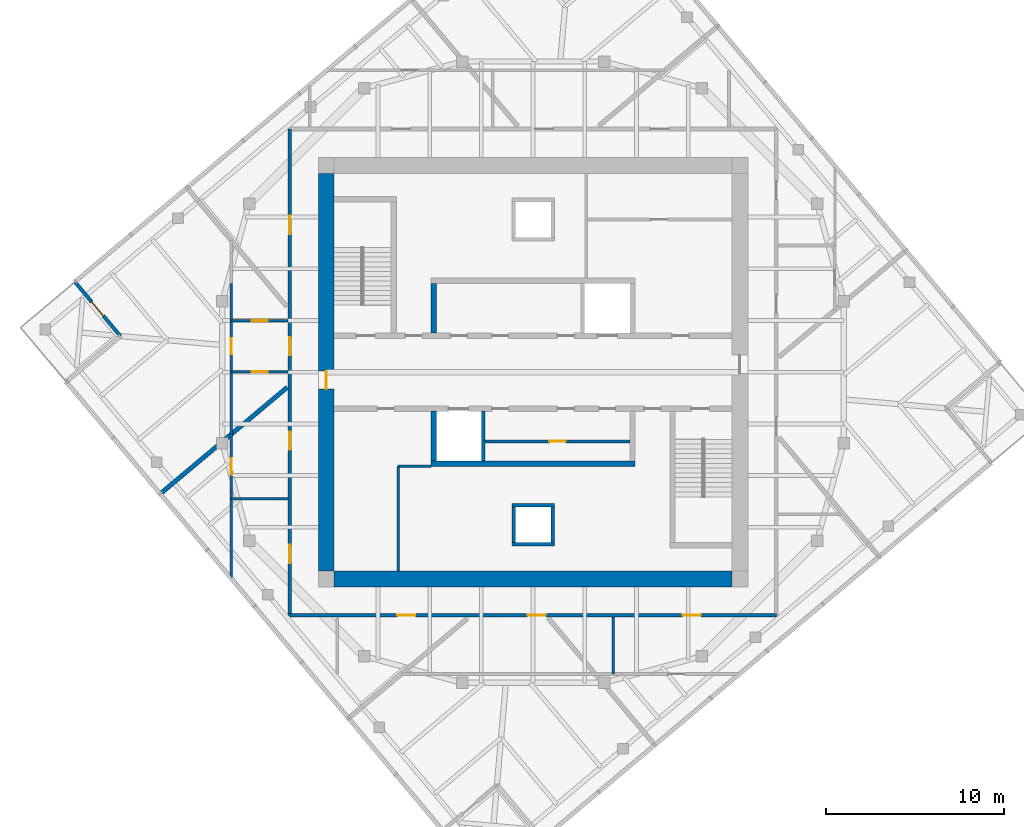
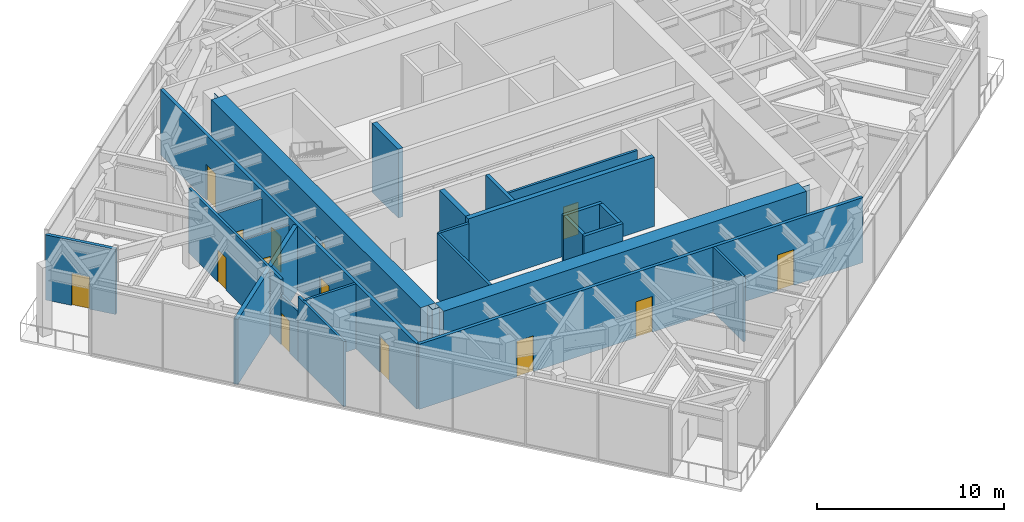
# One storey, part 8 of 11: 24 walls, 14 doors, 14 openings.
"""IFC4 building model written with IfcOpenShell, lengths in metres."""

from ifc_helpers import new_model, si_unit, direction, frame, frame_2d, origin, place, context, subcontext, project, spatial, polyline, rectangle, outline, extrude, material, layer, layer_set, type_object, element, fill, save


model = new_model("IFC4")

# Units and contexts
model_context = context("Model", 3, precision=1e-05, world=origin(), true_north=direction((0.0, 1.0)))
body_context = subcontext(model_context, "Body", "Model", "MODEL_VIEW")
ifc_project = project(units=[si_unit("LENGTHUNIT", "METRE"), si_unit("AREAUNIT", "SQUARE_METRE"), si_unit("VOLUMEUNIT", "CUBIC_METRE"), si_unit("PLANEANGLEUNIT", "RADIAN"), si_unit("MASSUNIT", "GRAM", prefix="KILO")], contexts=[model_context])

# Site, building, storey
site_placement = place(None, origin())
site = spatial("IfcSite", under=ifc_project, at=site_placement, CompositionType="ELEMENT")
building_placement = place(site_placement, origin())
building = spatial("IfcBuilding", under=site, at=building_placement, Name="Torsade Residences", CompositionType="ELEMENT")
storey_placement = place(building_placement, frame((0.0, 0.0, 304.300048828125)))
storey = spatial("IfcBuildingStorey", under=building, at=storey_placement, Name="L84", CompositionType="ELEMENT", Elevation=304.300048828125)

# Walls
ifc_material_1 = material(Name="Concrete 80 MPa", Category="concrete")
ifc_layer_1 = layer(ifc_material_1, 0.300048828125)
ifc_layer_set_1 = layer_set([ifc_layer_1], Name="Concrete 80 MPa")
wall_type_1 = type_object("IfcWallType", Name="CORE INTERNAL WALL 300", PredefinedType="SHEAR", material=ifc_layer_set_1)
wall_1_placement = place(storey_placement, frame((45.75, 24.85009765625, 0.0), z_axis=(0.0, 0.0, 1.0), x_axis=(-1.0, 0.0, 0.0)))
element("IfcWall", 1, at=wall_1_placement, inside=storey, type_object=wall_type_1, Name="Core wall BS L84", PredefinedType="SHEAR", context=body_context, shape_type="SweptSolid", body=[
    extrude(rectangle(XDim=11.5, YDim=0.300048828125, at=frame_2d((5.75, 0.0))), origin(), (0.0, 0.0, 1.0), 4.5),
])
for number, where, z_axis, x_axis, name in (
    (2, (34.39990234375, 32.199951171875, 0.0), (0.0, 0.0, 1.0), (0.0, 1.0, 0.0), "Core wall DN0 L84"),
    (3, (34.39990234375, 27.800048828125, 0.0), (0.0, 0.0, 1.0), (0.0, -1.0, 0.0), "Core wall DS4 L84"),
):
    element("IfcWall", number, at=place(storey_placement, frame(where, z_axis=z_axis, x_axis=x_axis)), inside=storey, type_object=wall_type_1, Name=name, PredefinedType="SHEAR", context=body_context, shape_type="SweptSolid", body=[
        extrude(rectangle(XDim=2.800048828125, YDim=0.300048828125, at=frame_2d((1.39990234375, 0.0))), origin(), (0.0, 0.0, 1.0), 4.5),
    ])
ifc_material_2 = material(Name="Concrete 80 MPa", Category="concrete")
ifc_layer_2 = layer(ifc_material_2, 0.89990234375)
ifc_layer_set_2 = layer_set([ifc_layer_2], Name="Concrete 80 MPa")
wall_type_2 = type_object("IfcWallType", Name="CORE WALL 900", PredefinedType="SHEAR", material=ifc_layer_set_2)
wall_2_placement = place(storey_placement, frame((51.199951171875, 18.35009765625, 0.0), z_axis=(0.0, 0.0, 1.0), x_axis=(-1.0, 0.0, 0.0)))
element("IfcWall", 4, at=wall_2_placement, inside=storey, type_object=wall_type_2, Name="Core wall S L84", PredefinedType="SHEAR", context=body_context, shape_type="SweptSolid", body=[
    extrude(outline(polyline([(0.0, -0.449951171875), (22.39990234375, -0.449951171875), (22.39990234375, -0.02490234375), (22.849853515625, -0.02490234375), (22.849853515625, 0.02490234375), (22.39990234375, 0.02490234375), (22.39990234375, 0.449951171875), (0.0, 0.449951171875), (0.0, 0.02490234375), (-0.449951171875, 0.02490234375), (-0.449951171875, -0.02490234375), (0.0, -0.02490234375), (0.0, -0.449951171875)])), origin(), (0.0, 0.0, 1.0), 4.5),
])

# Wall, opening, door
wall_3_placement = place(storey_placement, frame((28.35009765625, 41.199951171875, 0.0), z_axis=(0.0, 0.0, 1.0), x_axis=(0.0, -1.0, 0.0)))
wall_3 = element("IfcWall", 5, at=wall_3_placement, inside=storey, type_object=wall_type_2, Name="Core wall W L84", PredefinedType="SHEAR", context=body_context, shape_type="SweptSolid", body=[
    extrude(outline(polyline([(0.0, -0.449951171875), (22.39990234375, -0.449951171875), (22.39990234375, -0.02490234375), (22.849853515625, -0.02490234375), (22.849853515625, 0.02490234375), (22.39990234375, 0.02490234375), (22.39990234375, 0.449951171875), (0.0, 0.449951171875), (0.0, 0.02490234375), (-0.449951171875, 0.02490234375), (-0.449951171875, -0.02490234375), (0.0, -0.02490234375), (0.0, -0.449951171875)])), origin(), (0.0, 0.0, 1.0), 4.5),
])
opening_1_placement = place(wall_3_placement, frame((11.139892578125, 0.0, 0.0)))
opening_1 = element("IfcOpeningElement", 6, at=opening_1_placement, cuts=wall_3, Name="Opening D04", PredefinedType="OPENING", context=body_context, shape_type="SweptSolid", body=[
    extrude(rectangle(XDim=1.02001953125, YDim=2.39990234375, at=frame_2d((0.510009765625, 1.199951171875))), frame((0.0, 0.4599609375, 0.0), z_axis=(0.0, -1.0, 0.0), x_axis=(1.0, 0.0, 0.0)), (0.0, 0.0, 1.0), 0.919921875),
])
ifc_material_3 = material(Name="Steel-framed fire door", Category="steel")
door_type_1 = type_object("IfcDoorType", Name="LOBBY SMOKE DOOR 1020x2400", OperationType="NOTDEFINED", PredefinedType="DOOR", material=ifc_material_3)
door_1_placement = place(opening_1_placement, origin())
door_1 = element("IfcDoor", 7, at=door_1_placement, inside=storey, type_object=door_type_1, Name="Lift lobby door W L84", OperationType="SINGLE_SWING_RIGHT", OverallHeight=2.39990234375, OverallWidth=1.02001953125, PredefinedType="DOOR", context=body_context, shape_type="SweptSolid", body=[
    extrude(rectangle(XDim=1.02001953125, YDim=2.39990234375, at=frame_2d((0.510009765625, 1.199951171875))), frame((0.0, 0.02490234375, 0.0), z_axis=(0.0, -1.0, 0.0), x_axis=(1.0, 0.0, 0.0)), (0.0, 0.0, 1.0), 0.050048828125),
])
fill(opening_1, door_1)

# Wall, openings, doors
ifc_material_4 = material(Name="Plasterboard on steel stud", Category="steel")
ifc_layer_3 = layer(ifc_material_4, 0.199951171875)
ifc_layer_set_3 = layer_set([ifc_layer_3], Name="Plasterboard on steel stud")
wall_type_3 = type_object("IfcWallType", Name="CORRIDOR WALL 200", PredefinedType="PARTITIONING", material=ifc_layer_set_3)
wall_4_placement = place(storey_placement, frame((26.300048828125, 16.300048828125, 0.0), z_axis=(0.0, 0.0, 1.0), x_axis=(1.0, 0.0, 0.0)))
wall_4 = element("IfcWall", 8, at=wall_4_placement, inside=storey, type_object=wall_type_3, Name="Corridor wall L84", PredefinedType="PARTITIONING", context=body_context, shape_type="SweptSolid", body=[
    extrude(rectangle(XDim=27.39990234375, YDim=0.199951171875, at=frame_2d((13.699951171875, 0.0))), origin(), (0.0, 0.0, 1.0), 4.25),
])
opening_2_placement = place(wall_4_placement, frame((22.1259765625, 0.0, 0.0)))
opening_2 = element("IfcOpeningElement", 9, at=opening_2_placement, cuts=wall_4, Name="Opening D01", PredefinedType="OPENING", context=body_context, shape_type="SweptSolid", body=[
    extrude(rectangle(XDim=1.02001953125, YDim=2.340087890625, at=frame_2d((0.510009765625, 1.169921875))), frame((0.0, 0.10986328125, 0.0), z_axis=(0.0, -1.0, 0.0), x_axis=(1.0, 0.0, 0.0)), (0.0, 0.0, 1.0), 0.219970703125),
])
opening_3_placement = place(wall_4_placement, frame((13.39501953125, 0.0, 0.0)))
opening_3 = element("IfcOpeningElement", 10, at=opening_3_placement, cuts=wall_4, Name="Opening D01", PredefinedType="OPENING", context=body_context, shape_type="SweptSolid", body=[
    extrude(rectangle(XDim=1.02001953125, YDim=2.340087890625, at=frame_2d((0.510009765625, 1.169921875))), frame((0.0, 0.10986328125, 0.0), z_axis=(0.0, -1.0, 0.0), x_axis=(1.0, 0.0, 0.0)), (0.0, 0.0, 1.0), 0.219970703125),
])
opening_4_placement = place(wall_4_placement, frame((6.053466796875, 0.0, 0.0)))
opening_4 = element("IfcOpeningElement", 11, at=opening_4_placement, cuts=wall_4, Name="Opening D01", PredefinedType="OPENING", context=body_context, shape_type="SweptSolid", body=[
    extrude(rectangle(XDim=1.02001953125, YDim=2.340087890625, at=frame_2d((0.510009765625, 1.169921875))), frame((0.0, 0.10986328125, 0.0), z_axis=(0.0, -1.0, 0.0), x_axis=(1.0, 0.0, 0.0)), (0.0, 0.0, 1.0), 0.219970703125),
])
ifc_material_5 = material(Name="Solid-core timber fire door", Category="wood")
door_type_2 = type_object("IfcDoorType", Name="APARTMENT ENTRY DOOR 1020x2340", OperationType="NOTDEFINED", PredefinedType="DOOR", material=ifc_material_5)
door_2_placement = place(opening_2_placement, origin())
door_2 = element("IfcDoor", 12, at=door_2_placement, inside=storey, type_object=door_type_2, Name="Door Plant corridor to Service lobby", OperationType="SINGLE_SWING_LEFT", OverallHeight=2.340087890625, OverallWidth=1.02001953125, PredefinedType="DOOR", context=body_context, shape_type="SweptSolid", body=[
    extrude(rectangle(XDim=1.02001953125, YDim=2.340087890625, at=frame_2d((0.510009765625, 1.169921875))), frame((0.0, 0.02490234375, 0.0), z_axis=(0.0, -1.0, 0.0), x_axis=(1.0, 0.0, 0.0)), (0.0, 0.0, 1.0), 0.050048828125),
])
fill(opening_2, door_2)
door_3_placement = place(opening_3_placement, origin())
door_3 = element("IfcDoor", 13, at=door_3_placement, inside=storey, type_object=door_type_2, Name="Door Plant corridor to Store", OperationType="SINGLE_SWING_LEFT", OverallHeight=2.340087890625, OverallWidth=1.02001953125, PredefinedType="DOOR", context=body_context, shape_type="SweptSolid", body=[
    extrude(rectangle(XDim=1.02001953125, YDim=2.340087890625, at=frame_2d((0.510009765625, 1.169921875))), frame((0.0, 0.02490234375, 0.0), z_axis=(0.0, -1.0, 0.0), x_axis=(1.0, 0.0, 0.0)), (0.0, 0.0, 1.0), 0.050048828125),
])
fill(opening_3, door_3)
door_4_placement = place(opening_4_placement, origin())
door_4 = element("IfcDoor", 14, at=door_4_placement, inside=storey, type_object=door_type_2, Name="Door Plant corridor to Plant cupboard", OperationType="SINGLE_SWING_LEFT", OverallHeight=2.340087890625, OverallWidth=1.02001953125, PredefinedType="DOOR", context=body_context, shape_type="SweptSolid", body=[
    extrude(rectangle(XDim=1.02001953125, YDim=2.340087890625, at=frame_2d((0.510009765625, 1.169921875))), frame((0.0, 0.02490234375, 0.0), z_axis=(0.0, -1.0, 0.0), x_axis=(1.0, 0.0, 0.0)), (0.0, 0.0, 1.0), 0.050048828125),
])
fill(opening_4, door_4)

wall_5_placement = place(storey_placement, frame((26.300048828125, 43.699951171875, 0.0), z_axis=(0.0, 0.0, 1.0), x_axis=(0.0, -1.0, 0.0)))
wall_5 = element("IfcWall", 15, at=wall_5_placement, inside=storey, type_object=wall_type_3, Name="Corridor wall L84", PredefinedType="PARTITIONING", context=body_context, shape_type="SweptSolid", body=[
    extrude(rectangle(XDim=27.39990234375, YDim=0.199951171875, at=frame_2d((13.699951171875, 0.0))), origin(), (0.0, 0.0, 1.0), 4.25),
])
opening_5_placement = place(wall_5_placement, frame((4.89794921875, 0.0, 0.0)))
opening_5 = element("IfcOpeningElement", 16, at=opening_5_placement, cuts=wall_5, Name="Opening D01", PredefinedType="OPENING", context=body_context, shape_type="SweptSolid", body=[
    extrude(rectangle(XDim=1.02001953125, YDim=2.340087890625, at=frame_2d((0.510009765625, 1.169921875))), frame((0.0, 0.10986328125, 0.0), z_axis=(0.0, -1.0, 0.0), x_axis=(1.0, 0.0, 0.0)), (0.0, 0.0, 1.0), 0.219970703125),
])
opening_6_placement = place(wall_5_placement, frame((17.0419921875, 0.0, 0.0)))
opening_6 = element("IfcOpeningElement", 17, at=opening_6_placement, cuts=wall_5, Name="Opening D01", PredefinedType="OPENING", context=body_context, shape_type="SweptSolid", body=[
    extrude(rectangle(XDim=1.02001953125, YDim=2.340087890625, at=frame_2d((0.510009765625, 1.169921875))), frame((0.0, 0.10986328125, 0.0), z_axis=(0.0, -1.0, 0.0), x_axis=(1.0, 0.0, 0.0)), (0.0, 0.0, 1.0), 0.219970703125),
])
opening_7_placement = place(wall_5_placement, frame((23.43408203125, 0.0, 0.0)))
opening_7 = element("IfcOpeningElement", 18, at=opening_7_placement, cuts=wall_5, Name="Opening D01", PredefinedType="OPENING", context=body_context, shape_type="SweptSolid", body=[
    extrude(rectangle(XDim=1.02001953125, YDim=2.340087890625, at=frame_2d((0.510009765625, 1.169921875))), frame((0.0, 0.10986328125, 0.0), z_axis=(0.0, -1.0, 0.0), x_axis=(1.0, 0.0, 0.0)), (0.0, 0.0, 1.0), 0.219970703125),
])
opening_8_placement = place(wall_5_placement, frame((11.72705078125, 0.0, 0.0)))
opening_8 = element("IfcOpeningElement", 19, at=opening_8_placement, cuts=wall_5, Name="Opening D01", PredefinedType="OPENING", context=body_context, shape_type="SweptSolid", body=[
    extrude(rectangle(XDim=1.02001953125, YDim=2.340087890625, at=frame_2d((0.510009765625, 1.169921875))), frame((0.0, 0.10986328125, 0.0), z_axis=(0.0, -1.0, 0.0), x_axis=(1.0, 0.0, 0.0)), (0.0, 0.0, 1.0), 0.219970703125),
])
door_5_placement = place(opening_5_placement, origin())
door_5 = element("IfcDoor", 20, at=door_5_placement, inside=storey, type_object=door_type_2, Name="Door Plant corridor to Service lobby", OperationType="SINGLE_SWING_RIGHT", OverallHeight=2.340087890625, OverallWidth=1.02001953125, PredefinedType="DOOR", context=body_context, shape_type="SweptSolid", body=[
    extrude(rectangle(XDim=1.02001953125, YDim=2.340087890625, at=frame_2d((0.510009765625, 1.169921875))), frame((0.0, 0.02490234375, 0.0), z_axis=(0.0, -1.0, 0.0), x_axis=(1.0, 0.0, 0.0)), (0.0, 0.0, 1.0), 0.050048828125),
])
fill(opening_5, door_5)
door_6_placement = place(opening_6_placement, origin())
door_6 = element("IfcDoor", 21, at=door_6_placement, inside=storey, type_object=door_type_2, Name="Door Plant corridor to Store", OperationType="SINGLE_SWING_LEFT", OverallHeight=2.340087890625, OverallWidth=1.02001953125, PredefinedType="DOOR", context=body_context, shape_type="SweptSolid", body=[
    extrude(rectangle(XDim=1.02001953125, YDim=2.340087890625, at=frame_2d((0.510009765625, 1.169921875))), frame((0.0, 0.02490234375, 0.0), z_axis=(0.0, -1.0, 0.0), x_axis=(1.0, 0.0, 0.0)), (0.0, 0.0, 1.0), 0.050048828125),
])
fill(opening_6, door_6)
door_7_placement = place(opening_7_placement, origin())
door_7 = element("IfcDoor", 22, at=door_7_placement, inside=storey, type_object=door_type_2, Name="Door Plant corridor to Service lobby", OperationType="SINGLE_SWING_RIGHT", OverallHeight=2.340087890625, OverallWidth=1.02001953125, PredefinedType="DOOR", context=body_context, shape_type="SweptSolid", body=[
    extrude(rectangle(XDim=1.02001953125, YDim=2.340087890625, at=frame_2d((0.510009765625, 1.169921875))), frame((0.0, 0.02490234375, 0.0), z_axis=(0.0, -1.0, 0.0), x_axis=(1.0, 0.0, 0.0)), (0.0, 0.0, 1.0), 0.050048828125),
])
fill(opening_7, door_7)
door_8_placement = place(opening_8_placement, origin())
door_8 = element("IfcDoor", 23, at=door_8_placement, inside=storey, type_object=door_type_2, Name="Door Plant corridor to Service lobby", OperationType="SINGLE_SWING_LEFT", OverallHeight=2.340087890625, OverallWidth=1.02001953125, PredefinedType="DOOR", context=body_context, shape_type="SweptSolid", body=[
    extrude(rectangle(XDim=1.02001953125, YDim=2.340087890625, at=frame_2d((0.510009765625, 1.169921875))), frame((0.0, 0.02490234375, 0.0), z_axis=(0.0, -1.0, 0.0), x_axis=(1.0, 0.0, 0.0)), (0.0, 0.0, 1.0), 0.050048828125),
])
fill(opening_8, door_8)

# Walls
ifc_material_6 = material(Name="Reinforced blockwork", Category="masonry")
ifc_layer_4 = layer(ifc_material_6, 0.199951171875)
ifc_layer_set_4 = layer_set([ifc_layer_4], Name="Reinforced blockwork")
wall_type_4 = type_object("IfcWallType", Name="LIFT SHAFT DIVIDING WALL 200", PredefinedType="SOLIDWALL", material=ifc_layer_set_4)
wall_6_placement = place(storey_placement, frame((37.199951171875, 27.800048828125, 0.0), z_axis=(0.0, 0.0, 1.0), x_axis=(0.0, -1.0, 0.0)))
element("IfcWall", 24, at=wall_6_placement, inside=storey, type_object=wall_type_4, Name="Core wall DS3 L84", PredefinedType="SOLIDWALL", context=body_context, shape_type="SweptSolid", body=[
    extrude(rectangle(XDim=2.800048828125, YDim=0.199951171875, at=frame_2d((1.39990234375, 0.0))), origin(), (0.0, 0.0, 1.0), 4.5),
])
ifc_material_7 = material(Name="Masonry-lined stud party wall", Category="masonry")
ifc_layer_5 = layer(ifc_material_7, 0.25)
ifc_layer_set_5 = layer_set([ifc_layer_5], Name="Masonry-lined stud party wall")
wall_type_5 = type_object("IfcWallType", Name="PARTY WALL 250", PredefinedType="PARTITIONING", material=ifc_layer_set_5)
wall_7_placement = place(storey_placement, frame((18.9931640625, 23.142822265625, 0.0), z_axis=(0.0, 0.0, 1.0), x_axis=(0.766045019392, 0.64278692291, 0.0)))
element("IfcWall", 25, at=wall_7_placement, inside=storey, type_object=wall_type_5, Name="Party wall L84", PredefinedType="PARTITIONING", context=body_context, shape_type="SweptSolid", body=[
    extrude(rectangle(XDim=9.343017578125, YDim=0.25, at=frame_2d((4.67138671875, 0.0))), origin(), (0.0, 0.0, 1.0), 4.25),
])

# Wall, opening, door
ifc_material_8 = material(Name="Stone-faced precast concrete 40 MPa panel", Category="masonry")
ifc_layer_6 = layer(ifc_material_8, 0.199951171875)
ifc_layer_set_6 = layer_set([ifc_layer_6], Name="Stone-faced precast concrete 40 MPa panel")
wall_type_6 = type_object("IfcWallType", Name="PLANT ROOM EXTERNAL WALL 200", PredefinedType="SOLIDWALL", material=ifc_layer_set_6)
wall_8_placement = place(storey_placement, frame((14.18310546875, 35.097900390625, 0.0), z_axis=(0.0, 0.0, 1.0), x_axis=(0.642768287094, -0.766060656284, 0.0)))
wall_8 = element("IfcWall", 26, at=wall_8_placement, inside=storey, type_object=wall_type_6, Name="Plant room wall L84 8", PredefinedType="SOLIDWALL", context=body_context, shape_type="SweptSolid", body=[
    extrude(rectangle(XDim=4.0, YDim=0.199951171875, at=frame_2d((2.0, 0.0))), origin(), (0.0, 0.0, 1.0), 4.25),
])
opening_9_placement = place(wall_8_placement, frame((1.489990234375, 0.0, 0.0)))
opening_9 = element("IfcOpeningElement", 27, at=opening_9_placement, cuts=wall_8, Name="Opening D11", PredefinedType="OPENING", context=body_context, shape_type="SweptSolid", body=[
    extrude(rectangle(XDim=1.02001953125, YDim=2.10009765625, at=frame_2d((0.510009765625, 1.050048828125))), frame((0.0, 0.10986328125, 0.0), z_axis=(0.0, -1.0, 0.0), x_axis=(1.0, 0.0, 0.0)), (0.0, 0.0, 1.0), 0.219970703125),
])
ifc_material_9 = material(Name="Steel-framed external door", Category="steel")
door_type_3 = type_object("IfcDoorType", Name="MAINTENANCE ROOF DOOR 1020", OperationType="NOTDEFINED", PredefinedType="DOOR", material=ifc_material_9)
door_9_placement = place(opening_9_placement, origin())
door_9 = element("IfcDoor", 28, at=door_9_placement, inside=storey, type_object=door_type_3, Name="Terrace maintenance door L84 8", OperationType="SINGLE_SWING_RIGHT", OverallHeight=2.10009765625, OverallWidth=1.02001953125, PredefinedType="DOOR", context=body_context, shape_type="SweptSolid", body=[
    extrude(rectangle(XDim=1.02001953125, YDim=2.10009765625, at=frame_2d((0.510009765625, 1.050048828125))), frame((0.0, 0.02490234375, 0.0), z_axis=(0.0, -1.0, 0.0), x_axis=(1.0, 0.0, 0.0)), (0.0, 0.0, 1.0), 0.050048828125),
])
fill(opening_9, door_9)

# Walls
ifc_material_10 = material(Name="Reinforced blockwork", Category="masonry")
ifc_layer_7 = layer(ifc_material_10, 0.199951171875)
ifc_layer_set_7 = layer_set([ifc_layer_7], Name="Reinforced blockwork")
wall_type_7 = type_object("IfcWallType", Name="RISER SHAFT WALL 200", PredefinedType="SOLIDWALL", material=ifc_layer_set_7)
for number, where, z_axis, x_axis, name in (
    (29, (38.89990234375, 22.39990234375, 0.0), (0.0, 0.0, 1.0), (0.0, -1.0, 0.0), "Core wall RS2a L84"),
    (30, (41.10009765625, 22.39990234375, 0.0), (0.0, 0.0, 1.0), (0.0, -1.0, 0.0), "Core wall RS2b L84"),
):
    element("IfcWall", number, at=place(storey_placement, frame(where, z_axis=z_axis, x_axis=x_axis)), inside=storey, type_object=wall_type_7, Name=name, PredefinedType="SOLIDWALL", context=body_context, shape_type="SweptSolid", body=[
        extrude(rectangle(XDim=2.0, YDim=0.199951171875, at=frame_2d((1.0, 0.0))), origin(), (0.0, 0.0, 1.0), 4.5),
    ])
for number, where, z_axis, x_axis, name in (
    (31, (38.800048828125, 22.5, 0.0), (0.0, 0.0, 1.0), (1.0, 0.0, 0.0), "Core wall RS2c L84"),
    (32, (38.800048828125, 20.300048828125, 0.0), (0.0, 0.0, 1.0), (1.0, 0.0, 0.0), "Core wall RS2d L84"),
):
    element("IfcWall", number, at=place(storey_placement, frame(where, z_axis=z_axis, x_axis=x_axis)), inside=storey, type_object=wall_type_7, Name=name, PredefinedType="SOLIDWALL", context=body_context, shape_type="SweptSolid", body=[
        extrude(rectangle(XDim=2.39990234375, YDim=0.199951171875, at=frame_2d((1.199951171875, 0.0))), origin(), (0.0, 0.0, 1.0), 4.5),
    ])
ifc_material_11 = material(Name="Reinforced blockwork", Category="masonry")
ifc_layer_8 = layer(ifc_material_11, 0.14990234375)
ifc_layer_set_8 = layer_set([ifc_layer_8], Name="Reinforced blockwork")
wall_type_8 = type_object("IfcWallType", Name="SERVICE ROOM WALL 150", PredefinedType="SOLIDWALL", material=ifc_layer_set_8)
wall_9_placement = place(storey_placement, frame((32.39990234375, 18.800048828125, 0.0), z_axis=(0.0, 0.0, 1.0), x_axis=(0.0, 1.0, 0.0)))
element("IfcWall", 33, at=wall_9_placement, inside=storey, type_object=wall_type_8, Name="Service room wall L84", PredefinedType="SOLIDWALL", context=body_context, shape_type="SweptSolid", body=[
    extrude(rectangle(XDim=5.89990234375, YDim=0.14990234375, at=frame_2d((2.949951171875, 0.0))), origin(), (0.0, 0.0, 1.0), 4.25),
])
wall_10_placement = place(storey_placement, frame((32.39990234375, 24.699951171875, 0.0), z_axis=(0.0, 0.0, 1.0), x_axis=(1.0, 0.0, 0.0)))
element("IfcWall", 34, at=wall_10_placement, inside=storey, type_object=wall_type_8, Name="Service room wall L84", PredefinedType="SOLIDWALL", context=body_context, shape_type="SweptSolid", body=[
    extrude(rectangle(XDim=1.85009765625, YDim=0.14990234375, at=frame_2d((0.925048828125, 0.0))), origin(), (0.0, 0.0, 1.0), 4.25),
])
wall_11_placement = place(storey_placement, frame((23.0, 22.86181640625, 0.0), z_axis=(0.0, 0.0, 1.0), x_axis=(1.0, 0.0, 0.0)))
element("IfcWall", 35, at=wall_11_placement, inside=storey, type_object=wall_type_8, Name="Service room wall L84", PredefinedType="SOLIDWALL", context=body_context, shape_type="SweptSolid", body=[
    extrude(rectangle(XDim=3.199951171875, YDim=0.14990234375, at=frame_2d((1.60009765625, 0.0))), origin(), (0.0, 0.0, 1.0), 4.25),
])
wall_12_placement = place(storey_placement, frame((23.0, 18.4296875, 0.0), z_axis=(0.0, 0.0, 1.0), x_axis=(0.0, 1.0, 0.0)))
element("IfcWall", 36, at=wall_12_placement, inside=storey, type_object=wall_type_8, Name="Service room wall L84", PredefinedType="SOLIDWALL", context=body_context, shape_type="SweptSolid", body=[
    extrude(rectangle(XDim=4.891845703125, YDim=0.14990234375, at=frame_2d((2.44580078125, 0.0))), origin(), (0.0, 0.0, 1.0), 4.25),
])

# Wall, opening, door
wall_13_placement = place(storey_placement, frame((23.0, 23.321533203125, 0.0), z_axis=(0.0, 0.0, 1.0), x_axis=(0.0, 1.0, 0.0)))
wall_13 = element("IfcWall", 37, at=wall_13_placement, inside=storey, type_object=wall_type_8, Name="Service room wall L84", PredefinedType="SOLIDWALL", context=body_context, shape_type="SweptSolid", body=[
    extrude(rectangle(XDim=1.82177734375, YDim=0.14990234375, at=frame_2d((0.910888671875, 0.0))), origin(), (0.0, 0.0, 1.0), 3.25),
])
opening_10_placement = place(wall_13_placement, frame((0.90185546875, 0.0, 0.0)))
opening_10 = element("IfcOpeningElement", 38, at=opening_10_placement, cuts=wall_13, Name="Opening D06", PredefinedType="OPENING", context=body_context, shape_type="SweptSolid", body=[
    extrude(rectangle(XDim=0.919921875, YDim=2.10009765625, at=frame_2d((0.4599609375, 1.050048828125))), frame((0.0, 0.0849609375, 0.0), z_axis=(0.0, -1.0, 0.0), x_axis=(1.0, 0.0, 0.0)), (0.0, 0.0, 1.0), 0.169921875),
])
ifc_material_12 = material(Name="Steel-framed fire door", Category="steel")
door_type_4 = type_object("IfcDoorType", Name="FIRE DOOR 920", OperationType="NOTDEFINED", PredefinedType="DOOR", material=ifc_material_12)
door_10_placement = place(opening_10_placement, origin())
door_10 = element("IfcDoor", 39, at=door_10_placement, inside=storey, type_object=door_type_4, Name="Door Store to Lift motor room", OperationType="SINGLE_SWING_RIGHT", OverallHeight=2.10009765625, OverallWidth=0.919921875, PredefinedType="DOOR", context=body_context, shape_type="SweptSolid", body=[
    extrude(rectangle(XDim=0.919921875, YDim=2.10009765625, at=frame_2d((0.4599609375, 1.050048828125))), frame((0.0, 0.02490234375, 0.0), z_axis=(0.0, -1.0, 0.0), x_axis=(1.0, 0.0, 0.0)), (0.0, 0.0, 1.0), 0.050048828125),
])
fill(opening_10, door_10)

wall_14_placement = place(storey_placement, frame((23.0, 25.143310546875, 0.0), z_axis=(0.0, 0.0, 1.0), x_axis=(0.0, 1.0, 0.0)))
wall_14 = element("IfcWall", 40, at=wall_14_placement, inside=storey, type_object=wall_type_8, Name="Service room wall L84", PredefinedType="SOLIDWALL", context=body_context, shape_type="SweptSolid", body=[
    extrude(rectangle(XDim=9.844970703125, YDim=0.14990234375, at=frame_2d((4.92236328125, 0.0))), origin(), (0.0, 0.0, 1.0), 4.25),
])
opening_11_placement = place(wall_14_placement, frame((5.859619140625, 0.0, 0.0)))
opening_11 = element("IfcOpeningElement", 41, at=opening_11_placement, cuts=wall_14, Name="Opening D06", PredefinedType="OPENING", context=body_context, shape_type="SweptSolid", body=[
    extrude(rectangle(XDim=0.919921875, YDim=2.10009765625, at=frame_2d((0.4599609375, 1.050048828125))), frame((0.0, 0.0849609375, 0.0), z_axis=(0.0, -1.0, 0.0), x_axis=(1.0, 0.0, 0.0)), (0.0, 0.0, 1.0), 0.169921875),
])
door_11_placement = place(opening_11_placement, origin())
door_11 = element("IfcDoor", 42, at=door_11_placement, inside=storey, type_object=door_type_4, Name="Door Service lobby to Lift motor room", OperationType="SINGLE_SWING_RIGHT", OverallHeight=2.10009765625, OverallWidth=0.919921875, PredefinedType="DOOR", context=body_context, shape_type="SweptSolid", body=[
    extrude(rectangle(XDim=0.919921875, YDim=2.10009765625, at=frame_2d((0.4599609375, 1.050048828125))), frame((0.0, 0.02490234375, 0.0), z_axis=(0.0, -1.0, 0.0), x_axis=(1.0, 0.0, 0.0)), (0.0, 0.0, 1.0), 0.050048828125),
])
fill(opening_11, door_11)

# Wall
wall_15_placement = place(storey_placement, frame((44.52197265625, 13.0, 0.0), z_axis=(0.0, 0.0, 1.0), x_axis=(0.0, 1.0, 0.0)))
element("IfcWall", 43, at=wall_15_placement, inside=storey, type_object=wall_type_8, Name="Service room wall L84", PredefinedType="SOLIDWALL", context=body_context, shape_type="SweptSolid", body=[
    extrude(rectangle(XDim=3.199951171875, YDim=0.14990234375, at=frame_2d((1.60009765625, 0.0))), origin(), (0.0, 0.0, 1.0), 4.25),
])

# Wall, opening, door
wall_16_placement = place(storey_placement, frame((26.199951171875, 30.02880859375, 0.0), z_axis=(0.0, 0.0, 1.0), x_axis=(-1.0, 0.0, 0.0)))
wall_16 = element("IfcWall", 44, at=wall_16_placement, inside=storey, type_object=wall_type_8, Name="Service room wall L84", PredefinedType="SOLIDWALL", context=body_context, shape_type="SweptSolid", body=[
    extrude(rectangle(XDim=3.199951171875, YDim=0.14990234375, at=frame_2d((1.60009765625, 0.0))), origin(), (0.0, 0.0, 1.0), 3.721923828125),
])
opening_12_placement = place(wall_16_placement, frame((1.139892578125, 0.0, 0.0)))
opening_12 = element("IfcOpeningElement", 45, at=opening_12_placement, cuts=wall_16, Name="Opening D06", PredefinedType="OPENING", context=body_context, shape_type="SweptSolid", body=[
    extrude(rectangle(XDim=0.919921875, YDim=2.10009765625, at=frame_2d((0.4599609375, 1.050048828125))), frame((0.0, 0.0849609375, 0.0), z_axis=(0.0, -1.0, 0.0), x_axis=(1.0, 0.0, 0.0)), (0.0, 0.0, 1.0), 0.169921875),
])
door_12_placement = place(opening_12_placement, origin())
door_12 = element("IfcDoor", 46, at=door_12_placement, inside=storey, type_object=door_type_4, Name="Door Service lobby to Plant cupboard", OperationType="SINGLE_SWING_RIGHT", OverallHeight=2.10009765625, OverallWidth=0.919921875, PredefinedType="DOOR", context=body_context, shape_type="SweptSolid", body=[
    extrude(rectangle(XDim=0.919921875, YDim=2.10009765625, at=frame_2d((0.4599609375, 1.050048828125))), frame((0.0, 0.02490234375, 0.0), z_axis=(0.0, -1.0, 0.0), x_axis=(1.0, 0.0, 0.0)), (0.0, 0.0, 1.0), 0.050048828125),
])
fill(opening_12, door_12)

wall_17_placement = place(storey_placement, frame((23.0, 32.897216796875, 0.0), z_axis=(0.0, 0.0, 1.0), x_axis=(1.0, 0.0, 0.0)))
wall_17 = element("IfcWall", 47, at=wall_17_placement, inside=storey, type_object=wall_type_8, Name="Service room wall L84", PredefinedType="SOLIDWALL", context=body_context, shape_type="SweptSolid", body=[
    extrude(rectangle(XDim=3.199951171875, YDim=0.14990234375, at=frame_2d((1.60009765625, 0.0))), origin(), (0.0, 0.0, 1.0), 3.721923828125),
])
opening_13_placement = place(wall_17_placement, frame((1.139892578125, 0.0, 0.0)))
opening_13 = element("IfcOpeningElement", 48, at=opening_13_placement, cuts=wall_17, Name="Opening D06", PredefinedType="OPENING", context=body_context, shape_type="SweptSolid", body=[
    extrude(rectangle(XDim=0.919921875, YDim=2.10009765625, at=frame_2d((0.4599609375, 1.050048828125))), frame((0.0, 0.0849609375, 0.0), z_axis=(0.0, -1.0, 0.0), x_axis=(1.0, 0.0, 0.0)), (0.0, 0.0, 1.0), 0.169921875),
])
door_13_placement = place(opening_13_placement, origin())
door_13 = element("IfcDoor", 49, at=door_13_placement, inside=storey, type_object=door_type_4, Name="Door Service lobby to Store", OperationType="SINGLE_SWING_LEFT", OverallHeight=2.10009765625, OverallWidth=0.919921875, PredefinedType="DOOR", context=body_context, shape_type="SweptSolid", body=[
    extrude(rectangle(XDim=0.919921875, YDim=2.10009765625, at=frame_2d((0.4599609375, 1.050048828125))), frame((0.0, 0.02490234375, 0.0), z_axis=(0.0, -1.0, 0.0), x_axis=(1.0, 0.0, 0.0)), (0.0, 0.0, 1.0), 0.050048828125),
])
fill(opening_13, door_13)

wall_18_placement = place(storey_placement, frame((37.300048828125, 26.10009765625, 0.0), z_axis=(0.0, 0.0, 1.0), x_axis=(1.0, 0.0, 0.0)))
wall_18 = element("IfcWall", 50, at=wall_18_placement, inside=storey, type_object=wall_type_8, Name="Service room wall L84", PredefinedType="SOLIDWALL", context=body_context, shape_type="SweptSolid", body=[
    extrude(rectangle(XDim=8.14990234375, YDim=0.14990234375, at=frame_2d((4.074951171875, 0.0))), origin(), (0.0, 0.0, 1.0), 4.25),
])
opening_14_placement = place(wall_18_placement, frame((3.614990234375, 0.0, 0.0)))
opening_14 = element("IfcOpeningElement", 51, at=opening_14_placement, cuts=wall_18, Name="Opening D06", PredefinedType="OPENING", context=body_context, shape_type="SweptSolid", body=[
    extrude(rectangle(XDim=0.919921875, YDim=2.10009765625, at=frame_2d((0.4599609375, 1.050048828125))), frame((0.0, 0.0849609375, 0.0), z_axis=(0.0, -1.0, 0.0), x_axis=(1.0, 0.0, 0.0)), (0.0, 0.0, 1.0), 0.169921875),
])
door_14_placement = place(opening_14_placement, origin())
door_14 = element("IfcDoor", 52, at=door_14_placement, inside=storey, type_object=door_type_4, Name="Door Filter store L84B to Equipment store L84C", OperationType="SINGLE_SWING_LEFT", OverallHeight=2.10009765625, OverallWidth=0.919921875, PredefinedType="DOOR", context=body_context, shape_type="SweptSolid", body=[
    extrude(rectangle(XDim=0.919921875, YDim=2.10009765625, at=frame_2d((0.4599609375, 1.050048828125))), frame((0.0, 0.02490234375, 0.0), z_axis=(0.0, -1.0, 0.0), x_axis=(1.0, 0.0, 0.0)), (0.0, 0.0, 1.0), 0.050048828125),
])
fill(opening_14, door_14)

save(model, "model.ifc")
